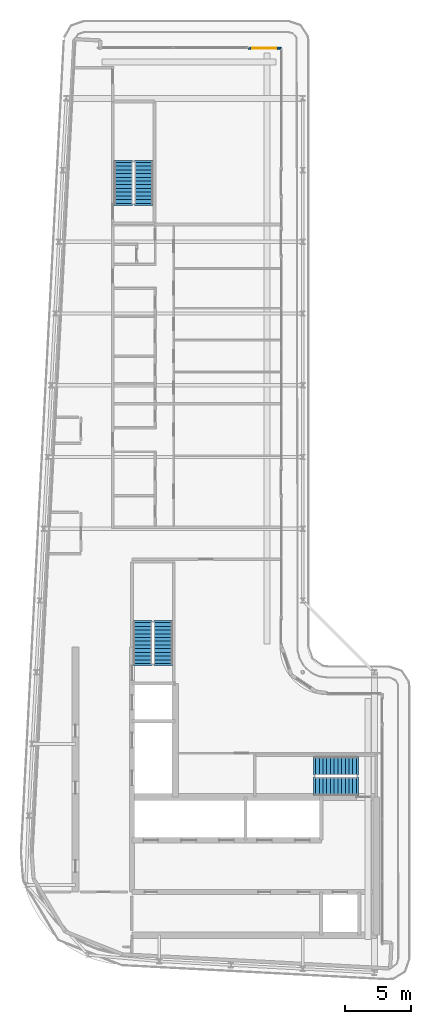
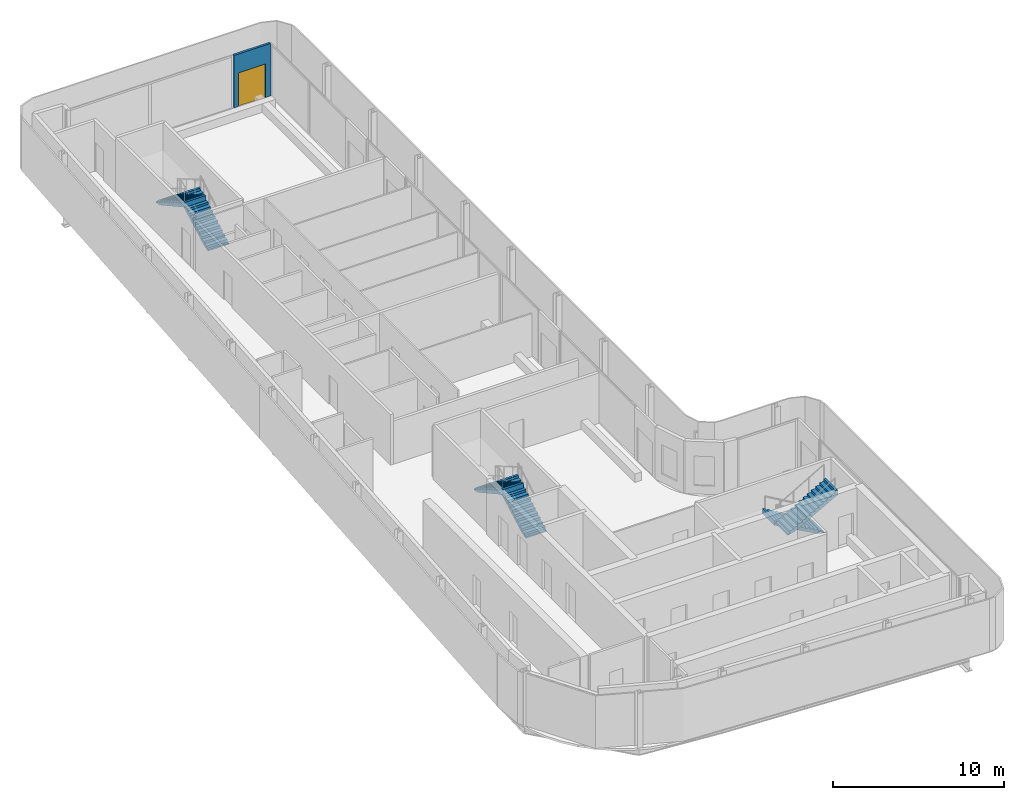
# One storey, part 12 of 19: 6 stair flights, 1 door, 1 wall, 1 opening, 3 elements without a shape of their own.
"""IFC4 building model written with IfcOpenShell, lengths in metres."""

from ifc_helpers import new_model, si_unit, direction, frame, frame_2d, origin, place, context, subcontext, project, spatial, polyline, rectangle, outline, extrude, source, transform, mapped, material, layer, layer_set, type_object, element, fill, aggregate, save


model = new_model("IFC4")

# Units and contexts
model_context = context("Model", 3, precision=1e-05, world=origin(), true_north=direction((0.0, 1.0)))
body_context = subcontext(model_context, "Body", "Model", "MODEL_VIEW")
ifc_project = project(units=[si_unit("LENGTHUNIT", "METRE"), si_unit("AREAUNIT", "SQUARE_METRE"), si_unit("VOLUMEUNIT", "CUBIC_METRE"), si_unit("PLANEANGLEUNIT", "RADIAN"), si_unit("MASSUNIT", "GRAM", prefix="KILO")], contexts=[model_context])

# Site, building, storey
site_placement = place(None, origin())
site = spatial("IfcSite", under=ifc_project, at=site_placement, CompositionType="ELEMENT")
building_placement = place(site_placement, origin())
building = spatial("IfcBuilding", under=site, at=building_placement, Name="Kheshtan School and Residences Tower", CompositionType="ELEMENT")
storey_placement = place(building_placement, frame((0.0, 0.0, 357.800048828125)))
storey = spatial("IfcBuildingStorey", under=building, at=storey_placement, Name="L84", CompositionType="ELEMENT", Elevation=357.800048828125)

# Wall, opening, door
ifc_material_1 = material(Name="Aluminium frame wall with insulated infill", Category="aluminium")
ifc_layer_1 = layer(ifc_material_1, 0.14990234375)
ifc_layer_set_1 = layer_set([ifc_layer_1], Name="Glazing frame wall 150")
wall_type = type_object("IfcWallType", Name="Glazing frame wall 150", PredefinedType="SOLIDWALL", material=ifc_layer_set_1)
wall_placement = place(storey_placement, frame((43.5, 92.574951171875, 0.0), z_axis=(0.0, 0.0, 1.0), x_axis=(1.0, 0.0, 0.0)))
wall = element("IfcWall", 1, at=wall_placement, inside=storey, type_object=wall_type, Name="Balcony door wall L84 3.1", PredefinedType="SOLIDWALL", context=body_context, shape_type="SweptSolid", body=[
    extrude(rectangle(XDim=2.470947265625, YDim=0.14990234375, at=frame_2d((1.2353515625, 0.0))), origin(), (0.0, 0.0, 1.0), 3.75),
])
opening_placement = place(wall_placement, frame((0.300048828125, 0.0, 0.0)))
opening = element("IfcOpeningElement", 2, at=opening_placement, cuts=wall, Name="Opening BD", PredefinedType="OPENING", context=body_context, shape_type="SweptSolid", body=[
    extrude(rectangle(XDim=1.800048828125, YDim=2.39990234375, at=frame_2d((0.89990234375, 1.199951171875))), frame((0.0, 0.0849609375, 0.0), z_axis=(0.0, -1.0, 0.0), x_axis=(1.0, 0.0, 0.0)), (0.0, 0.0, 1.0), 0.169921875),
])
ifc_material_2 = material(Name="Clear low-e glass in thermally broken aluminium frame", Category="aluminium")
door_type = type_object("IfcDoorType", Name="Balcony sliding door", OperationType="SLIDING_TO_LEFT", PredefinedType="DOOR", material=ifc_material_2)
shared_shape = source(origin(), body_context, "Body", "SweptSolid", [
    extrude(rectangle(XDim=1.800048828125, YDim=2.39990234375, at=frame_2d((0.89990234375, 1.199951171875))), frame((0.0, 0.02490234375, 0.0), z_axis=(0.0, -1.0, 0.0), x_axis=(1.0, 0.0, 0.0)), (0.0, 0.0, 1.0), 0.050048828125),
])
door_placement = place(opening_placement, origin())
door = element("IfcDoor", 3, at=door_placement, inside=storey, type_object=door_type, Name="Balcony door L84 3.1", OperationType="SLIDING_TO_LEFT", OverallHeight=2.39990234375, OverallWidth=1.800048828125, PredefinedType="DOOR", context=body_context, shape_type="MappedRepresentation", body=[
    mapped(shared_shape, transform((0.0, 0.0, 0.0), x_axis=(1.0, 0.0, 0.0), y_axis=(0.0, 1.0, 0.0), z_axis=(0.0, 0.0, 1.0), scale=1.0)),
])
fill(opening, door)

# Stair, stair flights
ifc_material_3 = material(Name="Concrete C40/50", Category="concrete")
stair_type = type_object("IfcStairType", Name="Exit stair, half-turn", PredefinedType="HALF_TURN_STAIR", material=ifc_material_3)
stair_1_placement = place(storey_placement, origin())
stair_1 = element("IfcStair", 4, at=stair_1_placement, inside=storey, type_object=stair_type, Name="L84 Protected Exit Stair ST1", PredefinedType="HALF_TURN_STAIR")
ifc_layer_2 = layer(ifc_material_3, 0.14990234375)
ifc_layer_set_2 = layer_set([ifc_layer_2], Name="Stair flight 1400 Concrete C40/50")
stair_flight_type = type_object("IfcStairFlightType", Name="Stair flight 1400 Concrete C40/50", PredefinedType="STRAIGHT", material=ifc_layer_set_2)
stair_flight_1_placement = place(storey_placement, frame((51.64990234375, 38.550048828125, 0.0), z_axis=(0.0, 0.0, 1.0), x_axis=(-1.0, 0.0, 0.0)))
stair_flight_1 = element("IfcStairFlight", 5, at=stair_flight_1_placement, type_object=stair_flight_type, Name="ST1 flight 1", NumberOfRisers=12, NumberOfTreads=11, PredefinedType="STRAIGHT", RiserHeight=0.1625, TreadLength=0.28, context=body_context, shape_type="SweptSolid", body=[
    extrude(outline(polyline([(-0.14990234375, -0.10009765625), (-0.14990234375, 0.0), (0.0, 0.0), (0.0, 0.16259765625), (0.280029296875, 0.16259765625), (0.280029296875, 0.324951171875), (0.56005859375, 0.324951171875), (0.56005859375, 0.487548828125), (0.840087890625, 0.487548828125), (0.840087890625, 0.64990234375), (1.1201171875, 0.64990234375), (1.1201171875, 0.8125), (1.39990234375, 0.8125), (1.39990234375, 0.97509765625), (1.679931640625, 0.97509765625), (1.679931640625, 1.137451171875), (1.9599609375, 1.137451171875), (1.9599609375, 1.300048828125), (2.239990234375, 1.300048828125), (2.239990234375, 1.46240234375), (2.52001953125, 1.46240234375), (2.52001953125, 1.625), (2.800048828125, 1.625), (2.800048828125, 1.78759765625), (3.080078125, 1.78759765625), (3.080078125, 1.949951171875), (3.080078125, 1.969970703125), (3.22998046875, 1.969970703125), (3.22998046875, 1.6142578125), (0.298583984375, 0.0), (-0.14990234375, -0.10009765625)])), frame((0.0, 0.699951171875, 0.0), z_axis=(0.0, -1.0, 0.0), x_axis=(1.0, 0.0, 0.0)), (0.0, 0.0, 1.0), 1.39990234375),
])
stair_flight_2_placement = place(storey_placement, frame((48.570068359375, 37.0, 1.949951171875), z_axis=(0.0, 0.0, 1.0), x_axis=(1.0, 0.0, 0.0)))
stair_flight_2 = element("IfcStairFlight", 6, at=stair_flight_2_placement, type_object=stair_flight_type, Name="ST1 flight 2", NumberOfRisers=12, NumberOfTreads=11, PredefinedType="STRAIGHT", RiserHeight=0.1625, TreadLength=0.28, context=body_context, shape_type="SweptSolid", body=[
    extrude(outline(polyline([(-0.14990234375, -0.10009765625), (-0.14990234375, 0.0), (0.0, 0.0), (0.0, 0.16259765625), (0.280029296875, 0.16259765625), (0.280029296875, 0.324951171875), (0.56005859375, 0.324951171875), (0.56005859375, 0.487548828125), (0.840087890625, 0.487548828125), (0.840087890625, 0.64990234375), (1.1201171875, 0.64990234375), (1.1201171875, 0.8125), (1.39990234375, 0.8125), (1.39990234375, 0.97509765625), (1.679931640625, 0.97509765625), (1.679931640625, 1.137451171875), (1.9599609375, 1.137451171875), (1.9599609375, 1.300048828125), (2.239990234375, 1.300048828125), (2.239990234375, 1.46240234375), (2.52001953125, 1.46240234375), (2.52001953125, 1.625), (2.800048828125, 1.625), (2.800048828125, 1.78759765625), (3.080078125, 1.78759765625), (3.080078125, 1.949951171875), (3.080078125, 1.969970703125), (3.22998046875, 1.969970703125), (3.22998046875, 1.6142578125), (0.298583984375, 0.0), (-0.14990234375, -0.10009765625)])), frame((0.0, 0.699951171875, 0.0), z_axis=(0.0, -1.0, 0.0), x_axis=(1.0, 0.0, 0.0)), (0.0, 0.0, 1.0), 1.39990234375),
])
aggregate(stair_1, [stair_flight_1, stair_flight_2])

stair_2_placement = place(storey_placement, origin())
stair_2 = element("IfcStair", 7, at=stair_2_placement, inside=storey, type_object=stair_type, Name="L84 Protected Exit Stair ST2", PredefinedType="HALF_TURN_STAIR")
stair_flight_3_placement = place(storey_placement, frame((37.10009765625, 46.25, 0.0), z_axis=(0.0, 0.0, 1.0), x_axis=(0.0, 1.0, 0.0)))
stair_flight_3 = element("IfcStairFlight", 8, at=stair_flight_3_placement, type_object=stair_flight_type, Name="ST2 flight 1", NumberOfRisers=12, NumberOfTreads=11, PredefinedType="STRAIGHT", RiserHeight=0.1625, TreadLength=0.28, context=body_context, shape_type="SweptSolid", body=[
    extrude(outline(polyline([(-0.14990234375, -0.10009765625), (-0.14990234375, 0.0), (0.0, 0.0), (0.0, 0.16259765625), (0.280029296875, 0.16259765625), (0.280029296875, 0.324951171875), (0.56005859375, 0.324951171875), (0.56005859375, 0.487548828125), (0.840087890625, 0.487548828125), (0.840087890625, 0.64990234375), (1.1201171875, 0.64990234375), (1.1201171875, 0.8125), (1.39990234375, 0.8125), (1.39990234375, 0.97509765625), (1.679931640625, 0.97509765625), (1.679931640625, 1.137451171875), (1.9599609375, 1.137451171875), (1.9599609375, 1.300048828125), (2.239990234375, 1.300048828125), (2.239990234375, 1.46240234375), (2.52001953125, 1.46240234375), (2.52001953125, 1.625), (2.800048828125, 1.625), (2.800048828125, 1.78759765625), (3.080078125, 1.78759765625), (3.080078125, 1.949951171875), (3.080078125, 1.969970703125), (3.22998046875, 1.969970703125), (3.22998046875, 1.6142578125), (0.298583984375, 0.0), (-0.14990234375, -0.10009765625)])), frame((0.0, 0.699951171875, 0.0), z_axis=(0.0, -1.0, 0.0), x_axis=(1.0, 0.0, 0.0)), (0.0, 0.0, 1.0), 1.39990234375),
])
stair_flight_4_placement = place(storey_placement, frame((35.550048828125, 49.330078125, 1.949951171875), z_axis=(0.0, 0.0, 1.0), x_axis=(0.0, -1.0, 0.0)))
stair_flight_4 = element("IfcStairFlight", 9, at=stair_flight_4_placement, type_object=stair_flight_type, Name="ST2 flight 2", NumberOfRisers=12, NumberOfTreads=11, PredefinedType="STRAIGHT", RiserHeight=0.1625, TreadLength=0.28, context=body_context, shape_type="SweptSolid", body=[
    extrude(outline(polyline([(-0.14990234375, -0.10009765625), (-0.14990234375, 0.0), (0.0, 0.0), (0.0, 0.16259765625), (0.280029296875, 0.16259765625), (0.280029296875, 0.324951171875), (0.56005859375, 0.324951171875), (0.56005859375, 0.487548828125), (0.840087890625, 0.487548828125), (0.840087890625, 0.64990234375), (1.1201171875, 0.64990234375), (1.1201171875, 0.8125), (1.39990234375, 0.8125), (1.39990234375, 0.97509765625), (1.679931640625, 0.97509765625), (1.679931640625, 1.137451171875), (1.9599609375, 1.137451171875), (1.9599609375, 1.300048828125), (2.239990234375, 1.300048828125), (2.239990234375, 1.46240234375), (2.52001953125, 1.46240234375), (2.52001953125, 1.625), (2.800048828125, 1.625), (2.800048828125, 1.78759765625), (3.080078125, 1.78759765625), (3.080078125, 1.949951171875), (3.080078125, 1.969970703125), (3.22998046875, 1.969970703125), (3.22998046875, 1.6142578125), (0.298583984375, 0.0), (-0.14990234375, -0.10009765625)])), frame((0.0, 0.699951171875, 0.0), z_axis=(0.0, -1.0, 0.0), x_axis=(1.0, 0.0, 0.0)), (0.0, 0.0, 1.0), 1.39990234375),
])
aggregate(stair_2, [stair_flight_3, stair_flight_4])

stair_3_placement = place(storey_placement, origin())
stair_3 = element("IfcStair", 10, at=stair_3_placement, inside=storey, type_object=stair_type, Name="L84 Protected Exit Stair ST3", PredefinedType="HALF_TURN_STAIR")
stair_flight_5_placement = place(storey_placement, frame((35.64990234375, 80.89990234375, 0.0), z_axis=(0.0, 0.0, 1.0), x_axis=(0.0, 1.0, 0.0)))
stair_flight_5 = element("IfcStairFlight", 11, at=stair_flight_5_placement, type_object=stair_flight_type, Name="ST3 flight 1", NumberOfRisers=12, NumberOfTreads=11, PredefinedType="STRAIGHT", RiserHeight=0.1625, TreadLength=0.28, context=body_context, shape_type="SweptSolid", body=[
    extrude(outline(polyline([(-0.14990234375, -0.10009765625), (-0.14990234375, 0.0), (0.0, 0.0), (0.0, 0.16259765625), (0.280029296875, 0.16259765625), (0.280029296875, 0.324951171875), (0.56005859375, 0.324951171875), (0.56005859375, 0.487548828125), (0.840087890625, 0.487548828125), (0.840087890625, 0.64990234375), (1.1201171875, 0.64990234375), (1.1201171875, 0.8125), (1.39990234375, 0.8125), (1.39990234375, 0.97509765625), (1.679931640625, 0.97509765625), (1.679931640625, 1.137451171875), (1.9599609375, 1.137451171875), (1.9599609375, 1.300048828125), (2.239990234375, 1.300048828125), (2.239990234375, 1.46240234375), (2.52001953125, 1.46240234375), (2.52001953125, 1.625), (2.800048828125, 1.625), (2.800048828125, 1.78759765625), (3.080078125, 1.78759765625), (3.080078125, 1.949951171875), (3.080078125, 1.969970703125), (3.22998046875, 1.969970703125), (3.22998046875, 1.6142578125), (0.298583984375, 0.0), (-0.14990234375, -0.10009765625)])), frame((0.0, 0.699951171875, 0.0), z_axis=(0.0, -1.0, 0.0), x_axis=(1.0, 0.0, 0.0)), (0.0, 0.0, 1.0), 1.39990234375),
])
stair_flight_6_placement = place(storey_placement, frame((34.10009765625, 83.97998046875, 1.949951171875), z_axis=(0.0, 0.0, 1.0), x_axis=(0.0, -1.0, 0.0)))
stair_flight_6 = element("IfcStairFlight", 12, at=stair_flight_6_placement, type_object=stair_flight_type, Name="ST3 flight 2", NumberOfRisers=12, NumberOfTreads=11, PredefinedType="STRAIGHT", RiserHeight=0.1625, TreadLength=0.28, context=body_context, shape_type="SweptSolid", body=[
    extrude(outline(polyline([(-0.14990234375, -0.10009765625), (-0.14990234375, 0.0), (0.0, 0.0), (0.0, 0.16259765625), (0.280029296875, 0.16259765625), (0.280029296875, 0.324951171875), (0.56005859375, 0.324951171875), (0.56005859375, 0.487548828125), (0.840087890625, 0.487548828125), (0.840087890625, 0.64990234375), (1.1201171875, 0.64990234375), (1.1201171875, 0.8125), (1.39990234375, 0.8125), (1.39990234375, 0.97509765625), (1.679931640625, 0.97509765625), (1.679931640625, 1.137451171875), (1.9599609375, 1.137451171875), (1.9599609375, 1.300048828125), (2.239990234375, 1.300048828125), (2.239990234375, 1.46240234375), (2.52001953125, 1.46240234375), (2.52001953125, 1.625), (2.800048828125, 1.625), (2.800048828125, 1.78759765625), (3.080078125, 1.78759765625), (3.080078125, 1.949951171875), (3.080078125, 1.969970703125), (3.22998046875, 1.969970703125), (3.22998046875, 1.6142578125), (0.298583984375, 0.0), (-0.14990234375, -0.10009765625)])), frame((0.0, 0.699951171875, 0.0), z_axis=(0.0, -1.0, 0.0), x_axis=(1.0, 0.0, 0.0)), (0.0, 0.0, 1.0), 1.39990234375),
])
aggregate(stair_3, [stair_flight_5, stair_flight_6])

save(model, "model.ifc")
